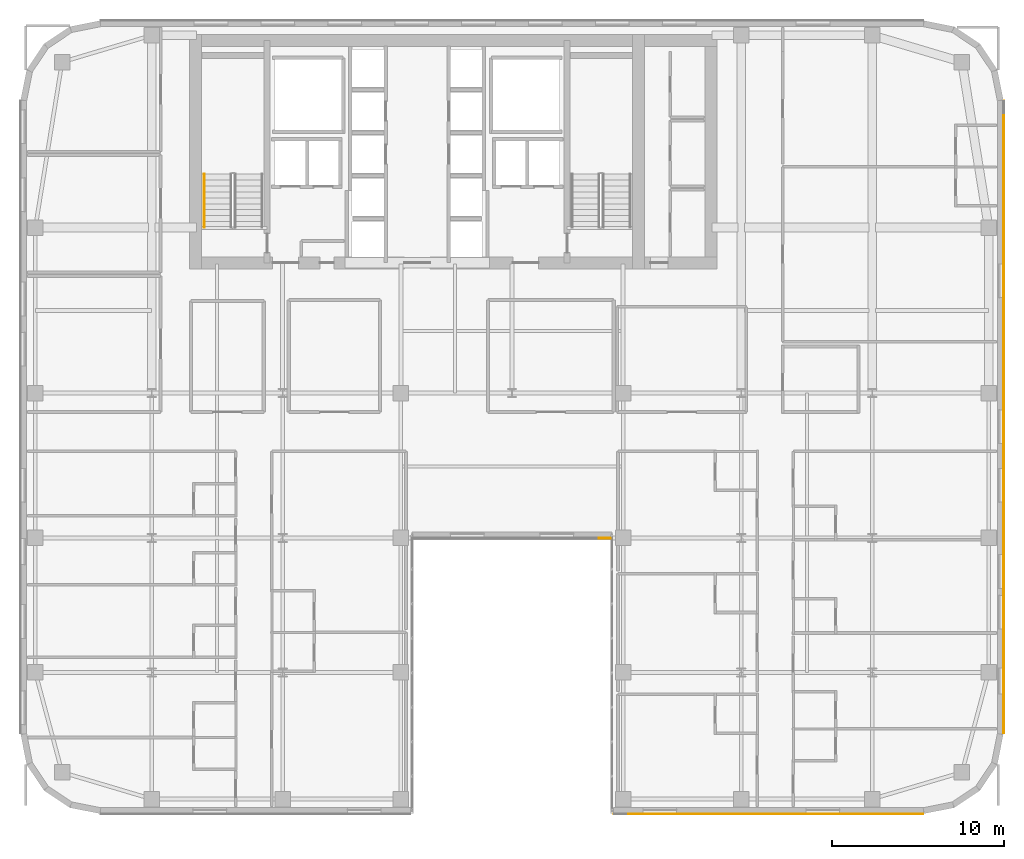
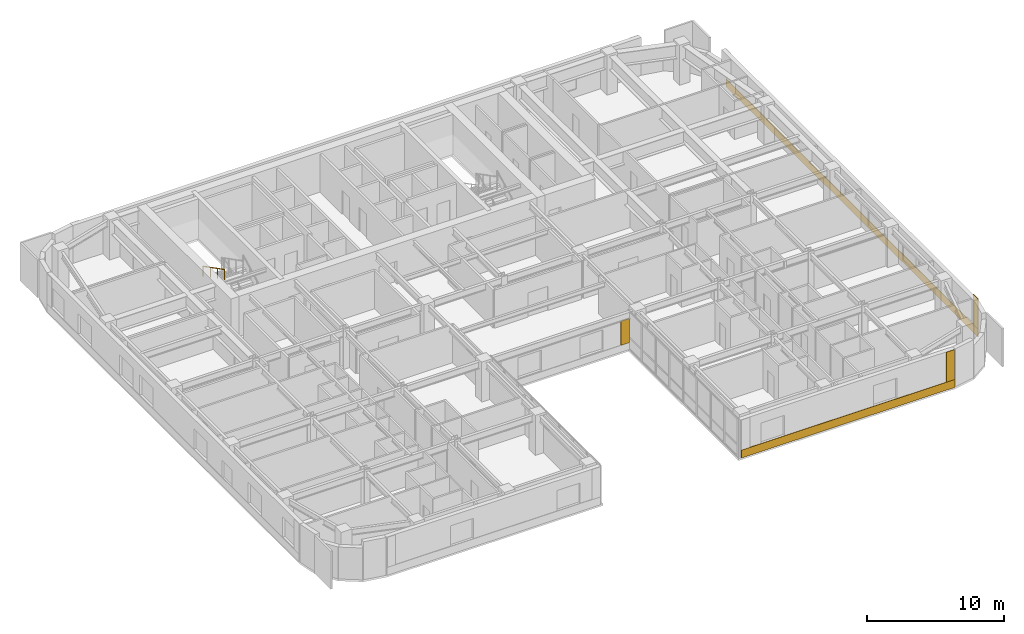
# One storey, part 22 of 25: 5 coverings, 1 railing.
"""IFC4 building model written with IfcOpenShell, lengths in metres."""

from ifc_helpers import new_model, si_unit, direction, frame, origin, origin_2d, place, context, subcontext, project, spatial, polyline, circle, outline, extrude, material, layer, layer_set, type_object, element, save


model = new_model("IFC4")

# Units and contexts
model_context = context("Model", 3, precision=1e-05, world=origin(), true_north=direction((0.0, 1.0)))
body_context = subcontext(model_context, "Body", "Model", "MODEL_VIEW")
ifc_project = project(units=[si_unit("LENGTHUNIT", "METRE"), si_unit("AREAUNIT", "SQUARE_METRE"), si_unit("VOLUMEUNIT", "CUBIC_METRE"), si_unit("PLANEANGLEUNIT", "RADIAN"), si_unit("MASSUNIT", "GRAM", prefix="KILO")], contexts=[model_context])

# Site, building, storey
site_placement = place(None, origin())
site = spatial("IfcSite", under=ifc_project, at=site_placement, CompositionType="ELEMENT")
building_placement = place(site_placement, origin())
building = spatial("IfcBuilding", under=site, at=building_placement, Name="Tolvann Quenvar Hotel", CompositionType="ELEMENT")
storey_placement = place(building_placement, frame((0.0, 0.0, 111.550048828125)))
storey = spatial("IfcBuildingStorey", under=building, at=storey_placement, Name="L28", CompositionType="ELEMENT", Elevation=111.550048828125)

# Coverings
ifc_material_1 = material(Name="Kiln-fired red architectural face brick cladding", Category="masonry")
ifc_layer_1 = layer(ifc_material_1, 0.0400390625)
ifc_layer_set_1 = layer_set([ifc_layer_1], Name="Kiln-fired red architectural face brick cladding")
covering_type_1 = type_object("IfcCoveringType", Name="COV_CLAD_BRICK_40", PredefinedType="CLADDING", material=ifc_layer_set_1)
covering_1_placement = place(storey_placement, frame((0.0, 0.0, 0.6044921875)))
element("IfcCovering", 1, at=covering_1_placement, inside=storey, type_object=covering_type_1, Name="Brick Pier Cladding (L28-E06-P2)", PredefinedType="CLADDING", context=body_context, shape_type="SweptSolid", body=[
    extrude(outline(polyline([(33.5400390625, 16.0), (34.239990234375, 16.0), (34.239990234375, 15.9599609375), (33.5400390625, 15.9599609375), (33.5400390625, 16.0)])), origin(), (0.0, 0.0, 1.0), 2.1435546875),
])
covering_2_placement = place(storey_placement, frame((0.0, 0.0, 0.699951171875)))
element("IfcCovering", 2, at=covering_2_placement, inside=storey, type_object=covering_type_1, Name="Brick Pier Cladding (L28-E08-P2)", PredefinedType="CLADDING", context=body_context, shape_type="SweptSolid", body=[
    extrude(outline(polyline([(51.6328125, 0.0), (52.332763671875, 0.0), (52.332763671875, -0.0400390625), (51.6328125, -0.0400390625), (51.6328125, 0.0)])), origin(), (0.0, 0.0, 1.0), 2.669921875),
])
covering_3_placement = place(storey_placement, frame((0.0, 0.0, 0.699951171875)))
element("IfcCovering", 3, at=covering_3_placement, inside=storey, type_object=covering_type_1, Name="Brick Pier Cladding (L28-E13-P1)", PredefinedType="CLADDING", context=body_context, shape_type="SweptSolid", body=[
    extrude(outline(polyline([(57.0, 4.667236328125), (57.0, 5.3671875), (57.0400390625, 5.3671875), (57.0400390625, 4.667236328125), (57.0, 4.667236328125)])), origin(), (0.0, 0.0, 1.0), 2.669921875),
])
ifc_material_2 = material(Name="Moulded buff architectural terracotta spandrel cladding", Category="masonry")
ifc_layer_2 = layer(ifc_material_2, 0.0400390625)
ifc_layer_set_2 = layer_set([ifc_layer_2], Name="Moulded buff architectural terracotta spandrel cladding")
covering_type_2 = type_object("IfcCoveringType", Name="COV_CLAD_TERRA_40", PredefinedType="CLADDING", material=ifc_layer_set_2)
covering_4_placement = place(storey_placement, origin())
element("IfcCovering", 4, at=covering_4_placement, inside=storey, type_object=covering_type_2, Name="Terracotta Spandrel Cladding (L28-E08)", PredefinedType="CLADDING", context=body_context, shape_type="SweptSolid", body=[
    extrude(outline(polyline([(34.4150390625, 0.0), (52.3427734375, 0.0), (52.3427734375, -0.0400390625), (34.4150390625, -0.0400390625), (34.4150390625, 0.0)])), origin(), (0.0, 0.0, 1.0), 0.699951171875),
])
covering_5_placement = place(storey_placement, origin())
element("IfcCovering", 5, at=covering_5_placement, inside=storey, type_object=covering_type_2, Name="Terracotta Spandrel Cladding (L28-E13)", PredefinedType="CLADDING", context=body_context, shape_type="SweptSolid", body=[
    extrude(outline(polyline([(57.0, 4.6572265625), (57.0, 41.3427734375), (57.0400390625, 41.3427734375), (57.0400390625, 4.6572265625), (57.0, 4.6572265625)])), origin(), (0.0, 0.0, 1.0), 0.699951171875),
])

# Railing
ifc_material_3 = material(Name="Brushed 316 stainless steel balustrade and handrail", Category="steel")
railing_type = type_object("IfcRailingType", Name="HANDRAIL", PredefinedType="HANDRAIL", material=ifc_material_3)
railing_placement = place(storey_placement, frame((10.64990234375, 37.10498046875, 1.952392578125)))
element("IfcRailing", 6, at=railing_placement, inside=storey, type_object=railing_type, Name="L28 ST-C1 stair handrail 2", PredefinedType="HANDRAIL", context=body_context, shape_type="SweptSolid", body=[
    extrude(circle(Radius=0.02392578125, at=origin_2d()), frame((0.0, 0.0, 0.8759765625), z_axis=(0.0, -0.88919353882, 0.457531256332), x_axis=(1.0, 0.0, 0.0)), (0.0, 0.0, 1.0), 3.491943359375),
    extrude(circle(Radius=0.02099609375, at=origin_2d()), origin(), (0.0, 0.0, 1.0), 0.851806640625),
    extrude(circle(Radius=0.02099609375, at=origin_2d()), frame((0.0, -1.034912109375, 0.532470703125)), (0.0, 0.0, 1.0), 0.851806640625),
    extrude(circle(Radius=0.02099609375, at=origin_2d()), frame((0.0, -2.070068359375, 1.065185546875)), (0.0, 0.0, 1.0), 0.851806640625),
    extrude(circle(Radius=0.02099609375, at=origin_2d()), frame((0.0, -3.10498046875, 1.59765625)), (0.0, 0.0, 1.0), 0.851806640625),
])

save(model, "model.ifc")
